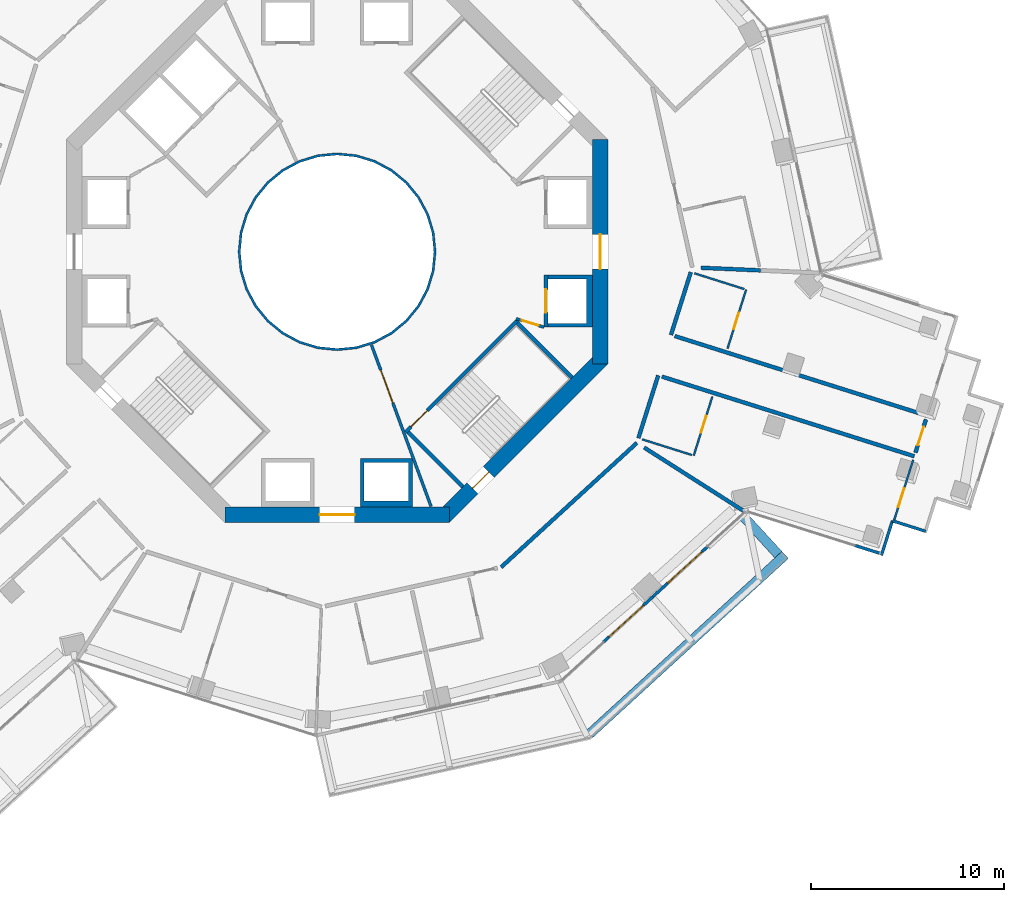
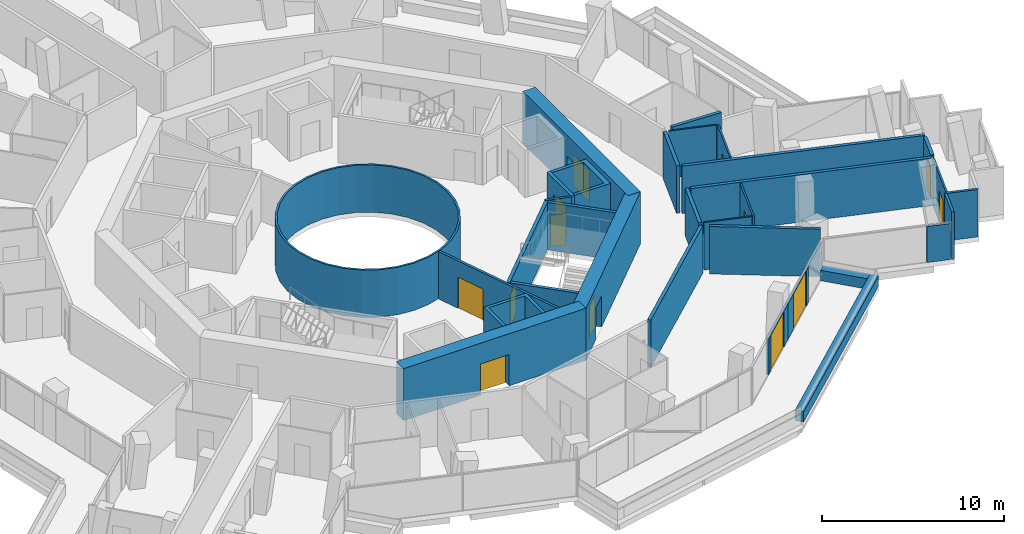
# One storey, part 18 of 24: 32 walls, 13 doors, 13 openings.
"""IFC4 building model written with IfcOpenShell, lengths in metres."""

from ifc_helpers import new_model, si_unit, direction, frame, frame_2d, origin, place, context, subcontext, project, spatial, polyline, rectangle, outline, extrude, material, layer, layer_set, type_object, element, fill, save


model = new_model("IFC4")

# Units and contexts
model_context = context("Model", 3, precision=1e-05, world=origin(), true_north=direction((0.0, 1.0)))
body_context = subcontext(model_context, "Body", "Model", "MODEL_VIEW")
ifc_project = project(units=[si_unit("LENGTHUNIT", "METRE"), si_unit("AREAUNIT", "SQUARE_METRE"), si_unit("VOLUMEUNIT", "CUBIC_METRE"), si_unit("PLANEANGLEUNIT", "RADIAN"), si_unit("MASSUNIT", "GRAM", prefix="KILO")], contexts=[model_context])

# Site, building, storey
site_placement = place(None, origin())
site = spatial("IfcSite", under=ifc_project, at=site_placement, CompositionType="ELEMENT")
building_placement = place(site_placement, origin())
building = spatial("IfcBuilding", under=site, at=building_placement, Name="Verdalira Terraces Hotel", CompositionType="ELEMENT")
storey_placement = place(building_placement, frame((0.0, 0.0, 86.0)))
storey = spatial("IfcBuildingStorey", under=building, at=storey_placement, Name="L19", CompositionType="ELEMENT", Elevation=86.0)

# Walls
ifc_material_1 = material(Name="Fire-resisting glass EI 180", Category="glass")
ifc_layer_1 = layer(ifc_material_1, 0.1201171875)
ifc_layer_set_1 = layer_set([ifc_layer_1], Name="Atrium fire screen 120 mm")
wall_type_1 = type_object("IfcWallType", Name="Atrium fire screen 120 mm", PredefinedType="SOLIDWALL", material=ifc_layer_set_1)
wall_1_placement = place(storey_placement, origin())
element("IfcWall", 1, at=wall_1_placement, inside=storey, type_object=wall_type_1, Name="Atrium fire screen", PredefinedType="SOLIDWALL", context=body_context, shape_type="SweptSolid", body=[
    extrude(outline(polyline([(5.021484, -0.998779), (4.730225, -1.959229), (4.25708, -2.844482), (3.620361, -3.620361), (2.844482, -4.25708), (1.959229, -4.730225), (0.998779, -5.021484), (0.0, -5.120117), (-0.998779, -5.021484), (-1.959229, -4.730225), (-2.844482, -4.25708), (-3.620361, -3.620361), (-4.25708, -2.844482), (-4.730225, -1.959229), (-5.021484, -0.998779), (-5.120117, 0.0), (-5.021484, 0.998779), (-4.730225, 1.959229), (-4.25708, 2.844482), (-3.620361, 3.620361), (-2.844482, 4.25708), (-1.959229, 4.730225), (-0.998779, 5.021484), (0.0, 5.120117), (0.998779, 5.021484), (1.959229, 4.730225), (2.844482, 4.25708), (3.620361, 3.620361), (4.25708, 2.844482), (4.730225, 1.959229), (5.021484, 0.998779), (5.120117, 0.0), (5.021484, -0.998779)]), holes=[polyline([(4.903809, 0.975586), (4.619385, 1.91333), (4.157227, 2.777832), (3.5354, 3.5354), (2.777832, 4.157227), (1.91333, 4.619385), (0.975586, 4.903809), (0.0, 5.0), (-0.975586, 4.903809), (-1.91333, 4.619385), (-2.777832, 4.157227), (-3.5354, 3.5354), (-4.157227, 2.777832), (-4.619385, 1.91333), (-4.903809, 0.975586), (-5.0, 0.0), (-4.903809, -0.975586), (-4.619385, -1.91333), (-4.157227, -2.777832), (-3.5354, -3.5354), (-2.777832, -4.157227), (-1.91333, -4.619385), (-0.975586, -4.903809), (0.0, -5.0), (0.975586, -4.903809), (1.91333, -4.619385), (2.777832, -4.157227), (3.5354, -3.5354), (4.157227, -2.777832), (4.619385, -1.91333), (4.903809, -0.975586), (5.0, 0.0), (4.903809, 0.975586)])]), origin(), (0.0, 0.0, 1.0), 3.189941),
])
ifc_material_2 = material(Name="Concrete C40", Category="concrete")
ifc_layer_2 = layer(ifc_material_2, 0.5)
ifc_layer_set_2 = layer_set([ifc_layer_2], Name="Balcony planter trough with tree")
wall_type_2 = type_object("IfcWallType", Name="Balcony planter trough with tree", PredefinedType="SOLIDWALL", material=ifc_layer_set_2)
wall_2_placement = place(storey_placement, frame((13.047363, -24.944824, 0.0), z_axis=(0.0, 0.0, 1.0), x_axis=(0.737502592, 0.675344302, 0.0)))
element("IfcWall", 2, at=wall_2_placement, inside=storey, type_object=wall_type_2, Name="Balcony planter", PredefinedType="SOLIDWALL", context=body_context, shape_type="SweptSolid", body=[
    extrude(rectangle(XDim=13.723389, YDim=0.5, at=frame_2d((6.861816, 0.0))), origin(), (0.0, 0.0, 1.0), 0.699951),
])
wall_3_placement = place(storey_placement, frame((22.815186, -15.661377, 0.0), z_axis=(0.0, 0.0, 1.0), x_axis=(-0.675257533, 0.737582039, 0.0)))
element("IfcWall", 3, at=wall_3_placement, inside=storey, type_object=wall_type_2, Name="Balcony planter", PredefinedType="SOLIDWALL", context=body_context, shape_type="SweptSolid", body=[
    extrude(rectangle(XDim=2.698975, YDim=0.5, at=frame_2d((1.349609, 0.0))), origin(), (0.0, 0.0, 1.0), 0.699951),
])
ifc_material_3 = material(Name="Moisture-resistant gypsum board partition")
ifc_layer_3 = layer(ifc_material_3, 0.10009765625)
ifc_layer_set_3 = layer_set([ifc_layer_3], Name="Bathroom partition 100 mm")
wall_type_3 = type_object("IfcWallType", Name="Bathroom partition 100 mm", PredefinedType="PARTITIONING", material=ifc_layer_set_3)
wall_4_placement = place(storey_placement, frame((15.770508, -9.69751, 0.0), z_axis=(0.0, 0.0, 1.0), x_axis=(0.953625017, -0.30099722, 0.0)))
element("IfcWall", 4, at=wall_4_placement, inside=storey, type_object=wall_type_3, Name="Bathroom partition", PredefinedType="PARTITIONING", context=body_context, shape_type="SweptSolid", body=[
    extrude(rectangle(XDim=2.700195, YDim=0.100098, at=frame_2d((1.350098, 0.0))), origin(), (0.0, 0.0, 1.0), 3.189941),
])

# Wall, opening, door
wall_5_placement = place(storey_placement, frame((18.440674, -10.540283, 0.0), z_axis=(0.0, 0.0, 1.0), x_axis=(0.30105834, 0.953605724, 0.0)))
wall_5 = element("IfcWall", 5, at=wall_5_placement, inside=storey, type_object=wall_type_3, Name="Bathroom partition", PredefinedType="PARTITIONING", context=body_context, shape_type="SweptSolid", body=[
    extrude(rectangle(XDim=3.199951, YDim=0.100098, at=frame_2d((1.600098, 0.0))), origin(), (0.0, 0.0, 1.0), 3.189941),
])
opening_1_placement = place(wall_5_placement, frame((1.25, 0.0, 0.0)))
opening_1 = element("IfcOpeningElement", 6, at=opening_1_placement, cuts=wall_5, Name="Opening L19-131", PredefinedType="OPENING", context=body_context, shape_type="SweptSolid", body=[
    extrude(rectangle(XDim=0.899902, YDim=2.100098, at=frame_2d((0.449951, 1.050049))), frame((0.0, 0.060059, 0.0), z_axis=(0.0, -1.0, 0.0), x_axis=(1.0, 0.0, 0.0)), (0.0, 0.0, 1.0), 0.120117),
])
ifc_material_4 = material(Name="Timber door", Category="wood")
door_type_1 = type_object("IfcDoorType", Name="Bathroom door 900 x 2100", OperationType="NOTDEFINED", PredefinedType="DOOR", material=ifc_material_4)
door_1_placement = place(opening_1_placement, origin())
door_1 = element("IfcDoor", 7, at=door_1_placement, inside=storey, type_object=door_type_1, Name="Bathroom door 1910", OperationType="SINGLE_SWING_LEFT", OverallHeight=2.10009765625, OverallWidth=0.89990234375, PredefinedType="DOOR", context=body_context, shape_type="SweptSolid", body=[
    extrude(rectangle(XDim=0.899902, YDim=2.100098, at=frame_2d((0.449951, 1.050049))), frame((0.0, 0.024902, 0.0), z_axis=(0.0, -1.0, 0.0), x_axis=(1.0, 0.0, 0.0)), (0.0, 0.0, 1.0), 0.050049),
])
fill(opening_1, door_1)

# Wall
wall_6_placement = place(storey_placement, frame((21.054688, -1.927734, 0.0), z_axis=(0.0, 0.0, 1.0), x_axis=(-0.953616824, 0.301023175, 0.0)))
element("IfcWall", 8, at=wall_6_placement, inside=storey, type_object=wall_type_3, Name="Bathroom partition", PredefinedType="PARTITIONING", context=body_context, shape_type="SweptSolid", body=[
    extrude(rectangle(XDim=2.699951, YDim=0.100098, at=frame_2d((1.350098, 0.0))), origin(), (0.0, 0.0, 1.0), 3.189941),
])

# Wall, opening, door
wall_7_placement = place(storey_placement, frame((20.186768, -5.009521, 0.0), z_axis=(0.0, 0.0, 1.0), x_axis=(0.301036438, 0.953612638, 0.0)))
wall_7 = element("IfcWall", 9, at=wall_7_placement, inside=storey, type_object=wall_type_3, Name="Bathroom partition", PredefinedType="PARTITIONING", context=body_context, shape_type="SweptSolid", body=[
    extrude(rectangle(XDim=3.200195, YDim=0.100098, at=frame_2d((1.600098, 0.0))), origin(), (0.0, 0.0, 1.0), 3.189941),
])
opening_2_placement = place(wall_7_placement, frame((1.050049, 0.0, 0.0)))
opening_2 = element("IfcOpeningElement", 10, at=opening_2_placement, cuts=wall_7, Name="Opening L19-132", PredefinedType="OPENING", context=body_context, shape_type="SweptSolid", body=[
    extrude(rectangle(XDim=0.899902, YDim=2.100098, at=frame_2d((0.449951, 1.050049))), frame((0.0, 0.060059, 0.0), z_axis=(0.0, -1.0, 0.0), x_axis=(1.0, 0.0, 0.0)), (0.0, 0.0, 1.0), 0.120117),
])
door_2_placement = place(opening_2_placement, origin())
door_2 = element("IfcDoor", 11, at=door_2_placement, inside=storey, type_object=door_type_1, Name="Bathroom door 1910", OperationType="SINGLE_SWING_RIGHT", OverallHeight=2.10009765625, OverallWidth=0.89990234375, PredefinedType="DOOR", context=body_context, shape_type="SweptSolid", body=[
    extrude(rectangle(XDim=0.899902, YDim=2.100098, at=frame_2d((0.449951, 1.050049))), frame((0.0, 0.024902, 0.0), z_axis=(0.0, -1.0, 0.0), x_axis=(1.0, 0.0, 0.0)), (0.0, 0.0, 1.0), 0.050049),
])
fill(opening_2, door_2)

wall_8_placement = place(storey_placement, frame((28.808594, -13.86792, 0.0), z_axis=(0.0, 0.0, 1.0), x_axis=(0.301030769, 0.953614427, 0.0)))
wall_8 = element("IfcWall", 12, at=wall_8_placement, inside=storey, type_object=wall_type_3, Name="Bathroom partition", PredefinedType="PARTITIONING", context=body_context, shape_type="SweptSolid", body=[
    extrude(rectangle(XDim=3.252197, YDim=0.100098, at=frame_2d((1.625977, 0.0))), origin(), (0.0, 0.0, 1.0), 3.189941),
])
opening_3_placement = place(wall_8_placement, frame((0.699951, 0.0, 0.0)))
opening_3 = element("IfcOpeningElement", 13, at=opening_3_placement, cuts=wall_8, Name="Opening L19-129", PredefinedType="OPENING", context=body_context, shape_type="SweptSolid", body=[
    extrude(rectangle(XDim=1.0, YDim=2.100098, at=frame_2d((0.5, 1.050049))), frame((0.0, 0.060059, 0.0), z_axis=(0.0, -1.0, 0.0), x_axis=(1.0, 0.0, 0.0)), (0.0, 0.0, 1.0), 0.120117),
])
ifc_material_5 = material(Name="Timber door", Category="wood")
door_type_2 = type_object("IfcDoorType", Name="Suite internal door 1000 x 2100", OperationType="NOTDEFINED", PredefinedType="DOOR", material=ifc_material_5)
door_3_placement = place(opening_3_placement, origin())
door_3 = element("IfcDoor", 14, at=door_3_placement, inside=storey, type_object=door_type_2, Name="Suite internal door 1910", OperationType="SINGLE_SWING_LEFT", OverallHeight=2.10009765625, OverallWidth=1.0, PredefinedType="DOOR", context=body_context, shape_type="SweptSolid", body=[
    extrude(rectangle(XDim=1.0, YDim=2.100098, at=frame_2d((0.5, 1.050049))), frame((0.0, 0.024902, 0.0), z_axis=(0.0, -1.0, 0.0), x_axis=(1.0, 0.0, 0.0)), (0.0, 0.0, 1.0), 0.050049),
])
fill(opening_3, door_3)

# Wall
ifc_material_6 = material(Name="Concrete C50", Category="concrete")
ifc_layer_4 = layer(ifc_material_6, 0.199951171875)
ifc_layer_set_4 = layer_set([ifc_layer_4], Name="Core RC wall 200 C50")
wall_type_4 = type_object("IfcWallType", Name="Core RC wall 200 C50", PredefinedType="SOLIDWALL", material=ifc_layer_set_4)
wall_9_placement = place(storey_placement, origin())
element("IfcWall", 15, at=wall_9_placement, inside=storey, type_object=wall_type_4, Name="L19 shaft wall E1", PredefinedType="SOLIDWALL", context=body_context, shape_type="SweptSolid", body=[
    extrude(outline(polyline([(13.199951, -3.899902), (10.899902, -3.899902), (10.899902, -3.699951), (12.899902, -3.699951), (12.899902, -1.399902), (10.899902, -1.399902), (10.899902, -1.199951), (13.199951, -1.199951), (13.199951, -3.899902)])), origin(), (0.0, 0.0, 1.0), 3.189941),
])

# Wall, opening, door
wall_10_placement = place(storey_placement, frame((10.800049, -1.199951, 0.0), z_axis=(0.0, 0.0, 1.0), x_axis=(0.0, -1.0, 0.0)))
wall_10 = element("IfcWall", 16, at=wall_10_placement, inside=storey, type_object=wall_type_4, Name="L19 shaft front wall E1", PredefinedType="SOLIDWALL", context=body_context, shape_type="SweptSolid", body=[
    extrude(rectangle(XDim=2.699951, YDim=0.199951, at=frame_2d((1.350098, 0.0))), origin(), (0.0, 0.0, 1.0), 3.189941),
])
opening_4_placement = place(wall_10_placement, frame((0.75, 0.0, 0.0)))
opening_4 = element("IfcOpeningElement", 17, at=opening_4_placement, cuts=wall_10, Name="Opening LD-L19-801", PredefinedType="OPENING", context=body_context, shape_type="SweptSolid", body=[
    extrude(rectangle(XDim=1.199951, YDim=2.100098, at=frame_2d((0.600098, 1.050049))), frame((0.0, 0.109863, 0.0), z_axis=(0.0, -1.0, 0.0), x_axis=(1.0, 0.0, 0.0)), (0.0, 0.0, 1.0), 0.219971),
])
ifc_material_7 = material(Name="Stainless steel", Category="steel")
door_type_3 = type_object("IfcDoorType", Name="Landing door 1200 x 2100", OperationType="NOTDEFINED", PredefinedType="DOOR", material=ifc_material_7)
door_4_placement = place(opening_4_placement, origin())
door_4 = element("IfcDoor", 18, at=door_4_placement, inside=storey, type_object=door_type_3, Name="Lift landing door LR1 L19", OperationType="DOUBLE_DOOR_SLIDING", OverallHeight=2.10009765625, OverallWidth=1.199951171875, PredefinedType="DOOR", context=body_context, shape_type="SweptSolid", body=[
    extrude(rectangle(XDim=1.199951, YDim=2.100098, at=frame_2d((0.600098, 1.050049))), frame((0.0, 0.024902, 0.0), z_axis=(0.0, -1.0, 0.0), x_axis=(1.0, 0.0, 0.0)), (0.0, 0.0, 1.0), 0.050049),
])
fill(opening_4, door_4)

# Wall
wall_11_placement = place(storey_placement, origin())
element("IfcWall", 19, at=wall_11_placement, inside=storey, type_object=wall_type_4, Name="L19 shaft wall S2", PredefinedType="SOLIDWALL", context=body_context, shape_type="SweptSolid", body=[
    extrude(outline(polyline([(3.899902, -10.699951), (3.899902, -13.199951), (1.199951, -13.199951), (1.199951, -10.699951), (3.899902, -10.699951)]), holes=[polyline([(1.399902, -12.899902), (3.699951, -12.899902), (3.699951, -10.899902), (1.399902, -10.899902), (1.399902, -12.899902)])]), origin(), (0.0, 0.0, 1.0), 3.189941),
])

# Wall, opening, door
wall_12_placement = place(storey_placement, frame((9.33374, -3.5354, 0.0), z_axis=(0.0, 0.0, 1.0), x_axis=(-0.707106781, -0.707106781, 0.0)))
wall_12 = element("IfcWall", 20, at=wall_12_placement, inside=storey, type_object=wall_type_4, Name="L19 stair ST3 front wall", PredefinedType="SOLIDWALL", context=body_context, shape_type="SweptSolid", body=[
    extrude(rectangle(XDim=8.200195, YDim=0.199951, at=frame_2d((4.100098, 0.0))), origin(), (0.0, 0.0, 1.0), 3.189941),
])
opening_5_placement = place(wall_12_placement, frame((6.600098, 0.0, 0.0)))
opening_5 = element("IfcOpeningElement", 21, at=opening_5_placement, cuts=wall_12, Name="Opening L19-811", PredefinedType="OPENING", context=body_context, shape_type="SweptSolid", body=[
    extrude(rectangle(XDim=1.199951, YDim=2.100098, at=frame_2d((0.600098, 1.050049))), frame((0.0, 0.109863, 0.0), z_axis=(0.0, -1.0, 0.0), x_axis=(1.0, 0.0, 0.0)), (0.0, 0.0, 1.0), 0.219971),
])
ifc_material_8 = material(Name="Steel fire door", Category="steel")
door_type_4 = type_object("IfcDoorType", Name="Stair door 1200 x 2100", OperationType="NOTDEFINED", PredefinedType="DOOR", material=ifc_material_8)
door_5_placement = place(opening_5_placement, origin())
door_5 = element("IfcDoor", 22, at=door_5_placement, inside=storey, type_object=door_type_4, Name="Stair door ST3 L19", OperationType="SINGLE_SWING_RIGHT", OverallHeight=2.10009765625, OverallWidth=1.199951171875, PredefinedType="DOOR", context=body_context, shape_type="SweptSolid", body=[
    extrude(rectangle(XDim=1.199951, YDim=2.100098, at=frame_2d((0.600098, 1.050049))), frame((0.0, 0.024902, 0.0), z_axis=(0.0, -1.0, 0.0), x_axis=(1.0, 0.0, 0.0)), (0.0, 0.0, 1.0), 0.050049),
])
fill(opening_5, door_5)

# Walls
for number, where, z_axis, x_axis, name in (
    (23, (3.677002, -9.33374, 0.0), (0.0, 0.0, 1.0), (0.707106781, -0.707106781, 0.0), "L19 stair ST3 end wall 1"),
    (24, (9.33374, -3.677002, 0.0), (0.0, 0.0, 1.0), (0.707106781, -0.707106781, 0.0), "L19 stair ST3 end wall 2"),
):
    element("IfcWall", number, at=place(storey_placement, frame(where, z_axis=z_axis, x_axis=x_axis)), inside=storey, type_object=wall_type_4, Name=name, PredefinedType="SOLIDWALL", context=body_context, shape_type="SweptSolid", body=[
        extrude(rectangle(XDim=4.0, YDim=0.199951, at=frame_2d((2.0, 0.0))), origin(), (0.0, 0.0, 1.0), 3.189941),
    ])

# Wall, opening, door
ifc_material_9 = material(Name="Gypsum board partition")
ifc_layer_5 = layer(ifc_material_9, 0.14990234375)
ifc_layer_set_5 = layer_set([ifc_layer_5], Name="Core partition 150 mm")
wall_type_5 = type_object("IfcWallType", Name="Core partition 150 mm", PredefinedType="PARTITIONING", material=ifc_layer_set_5)
wall_13_placement = place(storey_placement, frame((9.263184, -3.464844, 0.0), z_axis=(0.0, 0.0, 1.0), x_axis=(0.957084567, -0.289808785, 0.0)))
wall_13 = element("IfcWall", 25, at=wall_13_placement, inside=storey, type_object=wall_type_5, Name="Room partition L19", PredefinedType="PARTITIONING", context=body_context, shape_type="SweptSolid", body=[
    extrude(rectangle(XDim=1.501221, YDim=0.149902, at=frame_2d((0.750488, 0.0))), origin(), (0.0, 0.0, 1.0), 3.189941),
])
opening_6_placement = place(wall_13_placement, frame((0.300781, 0.0, 0.0)))
opening_6 = element("IfcOpeningElement", 26, at=opening_6_placement, cuts=wall_13, Name="Opening L19-823", PredefinedType="OPENING", context=body_context, shape_type="SweptSolid", body=[
    extrude(rectangle(XDim=0.899902, YDim=2.100098, at=frame_2d((0.449951, 1.050049))), frame((0.0, 0.084961, 0.0), z_axis=(0.0, -1.0, 0.0), x_axis=(1.0, 0.0, 0.0)), (0.0, 0.0, 1.0), 0.169922),
])
ifc_material_10 = material(Name="Steel fire door", Category="steel")
door_type_5 = type_object("IfcDoorType", Name="Core room door 900 x 2100", OperationType="NOTDEFINED", PredefinedType="DOOR", material=ifc_material_10)
door_6_placement = place(opening_6_placement, origin())
door_6 = element("IfcDoor", 27, at=door_6_placement, inside=storey, type_object=door_type_5, Name="Door L19 room7", OperationType="SINGLE_SWING_LEFT", OverallHeight=2.10009765625, OverallWidth=0.89990234375, PredefinedType="DOOR", context=body_context, shape_type="SweptSolid", body=[
    extrude(rectangle(XDim=0.899902, YDim=2.100098, at=frame_2d((0.449951, 1.050049))), frame((0.0, 0.024902, 0.0), z_axis=(0.0, -1.0, 0.0), x_axis=(1.0, 0.0, 0.0)), (0.0, 0.0, 1.0), 0.050049),
])
fill(opening_6, door_6)

wall_14_placement = place(storey_placement, frame((1.775635, -4.812988, 0.0), z_axis=(0.0, 0.0, 1.0), x_axis=(0.346115488, -0.938191915, 0.0)))
wall_14 = element("IfcWall", 28, at=wall_14_placement, inside=storey, type_object=wall_type_5, Name="Gallery fire partition L19", PredefinedType="PARTITIONING", context=body_context, shape_type="SweptSolid", body=[
    extrude(rectangle(XDim=8.909668, YDim=0.149902, at=frame_2d((4.454834, 0.0))), origin(), (0.0, 0.0, 1.0), 3.189941),
])
opening_7_placement = place(wall_14_placement, frame((1.399902, 0.0, 0.0)))
opening_7 = element("IfcOpeningElement", 29, at=opening_7_placement, cuts=wall_14, Name="Opening L19-825", PredefinedType="OPENING", context=body_context, shape_type="SweptSolid", body=[
    extrude(rectangle(XDim=1.800049, YDim=2.100098, at=frame_2d((0.899902, 1.050049))), frame((0.0, 0.084961, 0.0), z_axis=(0.0, -1.0, 0.0), x_axis=(1.0, 0.0, 0.0)), (0.0, 0.0, 1.0), 0.169922),
])
ifc_material_11 = material(Name="Steel fire door", Category="steel")
door_type_6 = type_object("IfcDoorType", Name="Gallery fire door pair 1800 x 2100", OperationType="NOTDEFINED", PredefinedType="DOOR", material=ifc_material_11)
door_7_placement = place(opening_7_placement, origin())
door_7 = element("IfcDoor", 30, at=door_7_placement, inside=storey, type_object=door_type_6, Name="Door L19 split6", OperationType="DOUBLE_DOOR_SINGLE_SWING", OverallHeight=2.10009765625, OverallWidth=1.800048828125, PredefinedType="DOOR", context=body_context, shape_type="SweptSolid", body=[
    extrude(rectangle(XDim=1.800049, YDim=2.100098, at=frame_2d((0.899902, 1.050049))), frame((0.0, 0.024902, 0.0), z_axis=(0.0, -1.0, 0.0), x_axis=(1.0, 0.0, 0.0)), (0.0, 0.0, 1.0), 0.050049),
])
fill(opening_7, door_7)

ifc_material_12 = material(Name="Concrete C70", Category="concrete")
ifc_layer_6 = layer(ifc_material_12, 0.800048828125)
ifc_layer_set_6 = layer_set([ifc_layer_6], Name="Core wall 800 C70")
wall_type_6 = type_object("IfcWallType", Name="Core wall 800 C70", PredefinedType="SHEAR", material=ifc_layer_set_6)
wall_15_placement = place(storey_placement, frame((13.600098, -5.799072, 0.0), z_axis=(0.0, 0.0, 1.0), x_axis=(0.0, 1.0, 0.0)))
wall_15 = element("IfcWall", 31, at=wall_15_placement, inside=storey, type_object=wall_type_6, Name="Core wall CW-L19-1", PredefinedType="SHEAR", context=body_context, shape_type="SweptSolid", body=[
    extrude(rectangle(XDim=11.598145, YDim=0.800049, at=frame_2d((5.799072, 0.0))), origin(), (0.0, 0.0, 1.0), 3.5),
])
opening_8_placement = place(wall_15_placement, frame((4.898926, 0.0, 0.0)))
opening_8 = element("IfcOpeningElement", 32, at=opening_8_placement, cuts=wall_15, Name="Opening L19-812", PredefinedType="OPENING", context=body_context, shape_type="SweptSolid", body=[
    extrude(rectangle(XDim=1.800049, YDim=2.100098, at=frame_2d((0.899902, 1.050049))), frame((0.0, 0.409912, 0.0), z_axis=(0.0, -1.0, 0.0), x_axis=(1.0, 0.0, 0.0)), (0.0, 0.0, 1.0), 0.820068),
])
ifc_material_13 = material(Name="Steel fire door", Category="steel")
door_type_7 = type_object("IfcDoorType", Name="Core entry door pair 1800 x 2100", OperationType="NOTDEFINED", PredefinedType="DOOR", material=ifc_material_13)
door_8_placement = place(opening_8_placement, origin())
door_8 = element("IfcDoor", 33, at=door_8_placement, inside=storey, type_object=door_type_7, Name="Core entry door L19 0", OperationType="DOUBLE_DOOR_SINGLE_SWING", OverallHeight=2.10009765625, OverallWidth=1.800048828125, PredefinedType="DOOR", context=body_context, shape_type="SweptSolid", body=[
    extrude(rectangle(XDim=1.800049, YDim=2.100098, at=frame_2d((0.899902, 1.050049))), frame((0.0, 0.024902, 0.0), z_axis=(0.0, -1.0, 0.0), x_axis=(1.0, 0.0, 0.0)), (0.0, 0.0, 1.0), 0.050049),
])
fill(opening_8, door_8)

wall_16_placement = place(storey_placement, frame((-5.799072, -13.600098, 0.0), z_axis=(0.0, 0.0, 1.0), x_axis=(1.0, 0.0, 0.0)))
wall_16 = element("IfcWall", 34, at=wall_16_placement, inside=storey, type_object=wall_type_6, Name="Core wall CW-L19-7", PredefinedType="SHEAR", context=body_context, shape_type="SweptSolid", body=[
    extrude(rectangle(XDim=11.598145, YDim=0.800049, at=frame_2d((5.799072, 0.0))), origin(), (0.0, 0.0, 1.0), 3.5),
])
opening_9_placement = place(wall_16_placement, frame((4.898926, 0.0, 0.0)))
opening_9 = element("IfcOpeningElement", 35, at=opening_9_placement, cuts=wall_16, Name="Opening L19-815", PredefinedType="OPENING", context=body_context, shape_type="SweptSolid", body=[
    extrude(rectangle(XDim=1.800049, YDim=2.100098, at=frame_2d((0.899902, 1.050049))), frame((0.0, 0.409912, 0.0), z_axis=(0.0, -1.0, 0.0), x_axis=(1.0, 0.0, 0.0)), (0.0, 0.0, 1.0), 0.820068),
])
door_9_placement = place(opening_9_placement, origin())
door_9 = element("IfcDoor", 36, at=door_9_placement, inside=storey, type_object=door_type_7, Name="Core entry door L19 6", OperationType="DOUBLE_DOOR_SINGLE_SWING", OverallHeight=2.10009765625, OverallWidth=1.800048828125, PredefinedType="DOOR", context=body_context, shape_type="SweptSolid", body=[
    extrude(rectangle(XDim=1.800049, YDim=2.100098, at=frame_2d((0.899902, 1.050049))), frame((0.0, 0.024902, 0.0), z_axis=(0.0, -1.0, 0.0), x_axis=(1.0, 0.0, 0.0)), (0.0, 0.0, 1.0), 0.050049),
])
fill(opening_9, door_9)

wall_17_placement = place(storey_placement, frame((5.516113, -13.717285, 0.0), z_axis=(0.0, 0.0, 1.0), x_axis=(0.707106781, 0.707106781, 0.0)))
wall_17 = element("IfcWall", 37, at=wall_17_placement, inside=storey, type_object=wall_type_6, Name="Core wall CW-L19-8", PredefinedType="SHEAR", context=body_context, shape_type="SweptSolid", body=[
    extrude(rectangle(XDim=11.598145, YDim=0.800049, at=frame_2d((5.799072, 0.0))), origin(), (0.0, 0.0, 1.0), 3.5),
])
opening_10_placement = place(wall_17_placement, frame((2.099121, 0.0, 0.0)))
opening_10 = element("IfcOpeningElement", 38, at=opening_10_placement, cuts=wall_17, Name="Opening L19-818", PredefinedType="OPENING", context=body_context, shape_type="SweptSolid", body=[
    extrude(rectangle(XDim=1.199951, YDim=2.100098, at=frame_2d((0.600098, 1.050049))), frame((0.0, 0.409912, 0.0), z_axis=(0.0, -1.0, 0.0), x_axis=(1.0, 0.0, 0.0)), (0.0, 0.0, 1.0), 0.820068),
])
door_10_placement = place(opening_10_placement, origin())
door_10 = element("IfcDoor", 39, at=door_10_placement, inside=storey, type_object=door_type_4, Name="Stair exit door ST3 L19", OperationType="SINGLE_SWING_LEFT", OverallHeight=2.10009765625, OverallWidth=1.199951171875, PredefinedType="DOOR", context=body_context, shape_type="SweptSolid", body=[
    extrude(rectangle(XDim=1.199951, YDim=2.100098, at=frame_2d((0.600098, 1.050049))), frame((0.0, 0.024902, 0.0), z_axis=(0.0, -1.0, 0.0), x_axis=(1.0, 0.0, 0.0)), (0.0, 0.0, 1.0), 0.050049),
])
fill(opening_10, door_10)

# Walls
ifc_material_14 = material(Name="Fire-rated gypsum board wall")
ifc_layer_7 = layer(ifc_material_14, 0.199951171875)
ifc_layer_set_7 = layer_set([ifc_layer_7], Name="Demising wall 200 mm")
wall_type_7 = type_object("IfcWallType", Name="Demising wall 200 mm", PredefinedType="SOLIDWALL", material=ifc_layer_set_7)
wall_18_placement = place(storey_placement, frame((15.87915, -10.124023, 0.0), z_axis=(0.0, 0.0, 1.0), x_axis=(0.843220205, -0.537568308, 0.0)))
element("IfcWall", 40, at=wall_18_placement, inside=storey, type_object=wall_type_7, Name="Demising wall", PredefinedType="SOLIDWALL", context=body_context, shape_type="SweptSolid", body=[
    extrude(rectangle(XDim=6.13208, YDim=0.199951, at=frame_2d((3.065918, 0.0))), origin(), (0.0, 0.0, 1.0), 3.189941),
])
wall_19_placement = place(storey_placement, frame((18.813721, -0.827881, 0.0), z_axis=(0.0, 0.0, 1.0), x_axis=(0.999032036, -0.043988535, 0.0)))
element("IfcWall", 41, at=wall_19_placement, inside=storey, type_object=wall_type_7, Name="Demising wall", PredefinedType="SOLIDWALL", context=body_context, shape_type="SweptSolid", body=[
    extrude(rectangle(XDim=3.074707, YDim=0.199951, at=frame_2d((1.537354, 0.0))), origin(), (0.0, 0.0, 1.0), 3.189941),
])
ifc_material_15 = material(Name="Fire-rated gypsum board wall")
ifc_layer_8 = layer(ifc_material_15, 0.199951171875)
ifc_layer_set_8 = layer_set([ifc_layer_8], Name="Guest corridor wall 200 mm")
wall_type_8 = type_object("IfcWallType", Name="Guest corridor wall 200 mm", PredefinedType="SOLIDWALL", material=ifc_layer_set_8)
wall_20_placement = place(storey_placement, frame((8.483887, -16.310059, 0.0), z_axis=(0.0, 0.0, 1.0), x_axis=(0.737517179, 0.675328372, 0.0)))
element("IfcWall", 42, at=wall_20_placement, inside=storey, type_object=wall_type_8, Name="Guest corridor wall", PredefinedType="SOLIDWALL", context=body_context, shape_type="SweptSolid", body=[
    extrude(rectangle(XDim=9.516113, YDim=0.199951, at=frame_2d((4.758057, 0.0))), origin(), (0.0, 0.0, 1.0), 3.189941),
])
wall_21_placement = place(storey_placement, frame((15.579834, -9.637207, 0.0), z_axis=(0.0, 0.0, 1.0), x_axis=(0.301086692, 0.953596772, 0.0)))
element("IfcWall", 43, at=wall_21_placement, inside=storey, type_object=wall_type_8, Name="Guest corridor wall", PredefinedType="SOLIDWALL", context=body_context, shape_type="SweptSolid", body=[
    extrude(rectangle(XDim=3.399902, YDim=0.199951, at=frame_2d((1.699951, 0.0))), origin(), (0.0, 0.0, 1.0), 3.189941),
])
wall_22_placement = place(storey_placement, frame((17.265625, -4.297119, 0.0), z_axis=(0.0, 0.0, 1.0), x_axis=(0.301066076, 0.953603281, 0.0)))
element("IfcWall", 44, at=wall_22_placement, inside=storey, type_object=wall_type_8, Name="Guest corridor wall", PredefinedType="SOLIDWALL", context=body_context, shape_type="SweptSolid", body=[
    extrude(rectangle(XDim=3.400146, YDim=0.199951, at=frame_2d((1.700195, 0.0))), origin(), (0.0, 0.0, 1.0), 3.189941),
])
for number, where, z_axis, x_axis, name in (
    (45, (16.794189, -6.455078, 0.0), (0.0, 0.0, 1.0), (0.953611503, -0.301040034, 0.0), "Guest corridor wall"),
    (46, (30.51001, -8.478027, 0.0), (0.0, 0.0, 1.0), (-0.953611503, 0.301040034, 0.0), "Guest corridor wall"),
):
    element("IfcWall", number, at=place(storey_placement, frame(where, z_axis=z_axis, x_axis=x_axis)), inside=storey, type_object=wall_type_8, Name=name, PredefinedType="SOLIDWALL", context=body_context, shape_type="SweptSolid", body=[
        extrude(rectangle(XDim=13.688721, YDim=0.199951, at=frame_2d((6.844238, 0.0))), origin(), (0.0, 0.0, 1.0), 3.189941),
    ])

# Wall, opening, door
wall_23_placement = place(storey_placement, frame((30.450439, -8.666748, 0.0), z_axis=(0.0, 0.0, 1.0), x_axis=(-0.300962974, -0.953635826, 0.0)))
wall_23 = element("IfcWall", 47, at=wall_23_placement, inside=storey, type_object=wall_type_8, Name="Guest corridor wall", PredefinedType="SOLIDWALL", context=body_context, shape_type="SweptSolid", body=[
    extrude(rectangle(XDim=1.804199, YDim=0.199951, at=frame_2d((0.9021, 0.0))), origin(), (0.0, 0.0, 1.0), 3.189941),
])
opening_11_placement = place(wall_23_placement, frame((0.399902, 0.0, 0.0)))
opening_11 = element("IfcOpeningElement", 48, at=opening_11_placement, cuts=wall_23, Name="Opening L19-128", PredefinedType="OPENING", context=body_context, shape_type="SweptSolid", body=[
    extrude(rectangle(XDim=1.0, YDim=2.100098, at=frame_2d((0.5, 1.050049))), frame((0.0, 0.109863, 0.0), z_axis=(0.0, -1.0, 0.0), x_axis=(1.0, 0.0, 0.0)), (0.0, 0.0, 1.0), 0.219971),
])
ifc_material_16 = material(Name="Timber fire door", Category="wood")
door_type_8 = type_object("IfcDoorType", Name="Guest entry door 1000 x 2100", OperationType="NOTDEFINED", PredefinedType="DOOR", material=ifc_material_16)
door_11_placement = place(opening_11_placement, origin())
door_11 = element("IfcDoor", 49, at=door_11_placement, inside=storey, type_object=door_type_8, Name="Guest entry door 1910", OperationType="SINGLE_SWING_LEFT", OverallHeight=2.10009765625, OverallWidth=1.0, PredefinedType="DOOR", context=body_context, shape_type="SweptSolid", body=[
    extrude(rectangle(XDim=1.0, YDim=2.100098, at=frame_2d((0.5, 1.050049))), frame((0.0, 0.024902, 0.0), z_axis=(0.0, -1.0, 0.0), x_axis=(1.0, 0.0, 0.0)), (0.0, 0.0, 1.0), 0.050049),
])
fill(opening_11, door_11)

# Walls
ifc_material_17 = material(Name="Terracotta cladding", Category="masonry")
ifc_layer_9 = layer(ifc_material_17, 0.14990234375)
ifc_layer_set_9 = layer_set([ifc_layer_9], Name="Terracotta clad wall 150")
wall_type_9 = type_object("IfcWallType", Name="Terracotta clad wall 150", PredefinedType="SOLIDWALL", material=ifc_layer_set_9)
wall_24_placement = place(storey_placement, frame((28.150635, -15.702881, 0.0), z_axis=(0.0, 0.0, 1.0), x_axis=(0.301031663, 0.953614145, 0.0)))
element("IfcWall", 50, at=wall_24_placement, inside=storey, type_object=wall_type_9, Name="Terracotta cladding wall", PredefinedType="SOLIDWALL", context=body_context, shape_type="SweptSolid", body=[
    extrude(rectangle(XDim=1.875, YDim=0.149902, at=frame_2d((0.9375, 0.0))), origin(), (0.0, 0.0, 1.0), 3.189941),
])
wall_25_placement = place(storey_placement, frame((28.715088, -13.914795, 0.0), z_axis=(0.0, 0.0, 1.0), x_axis=(0.953594963, -0.301092422, 0.0)))
element("IfcWall", 51, at=wall_25_placement, inside=storey, type_object=wall_type_9, Name="Terracotta cladding wall", PredefinedType="SOLIDWALL", context=body_context, shape_type="SweptSolid", body=[
    extrude(rectangle(XDim=1.800049, YDim=0.149902, at=frame_2d((0.899902, 0.0))), origin(), (0.0, 0.0, 1.0), 3.189941),
])
ifc_material_18 = material(Name="Terracotta cladding", Category="masonry")
ifc_layer_10 = layer(ifc_material_18, 0.14990234375)
ifc_layer_set_10 = layer_set([ifc_layer_10], Name="Terracotta column pier 150")
wall_type_10 = type_object("IfcWallType", Name="Terracotta column pier 150", PredefinedType="SOLIDWALL", material=ifc_layer_set_10)
wall_26_placement = place(storey_placement, frame((26.763916, -15.186523, 0.0), z_axis=(0.0, 0.0, 1.0), x_axis=(0.953635251, -0.300964794, 0.0)))
element("IfcWall", 52, at=wall_26_placement, inside=storey, type_object=wall_type_10, Name="Terracotta column pier", PredefinedType="SOLIDWALL", context=body_context, shape_type="SweptSolid", body=[
    extrude(rectangle(XDim=1.332764, YDim=0.149902, at=frame_2d((0.666504, 0.0))), origin(), (0.0, 0.0, 1.0), 2.425049),
])

# Wall, opening, door
ifc_material_19 = material(Name="Terracotta cladding", Category="masonry")
ifc_layer_11 = layer(ifc_material_19, 0.14990234375)
ifc_layer_set_11 = layer_set([ifc_layer_11], Name="Terracotta door pier 150")
wall_type_11 = type_object("IfcWallType", Name="Terracotta door pier 150", PredefinedType="SOLIDWALL", material=ifc_layer_set_11)
wall_27_placement = place(storey_placement, frame((13.769043, -20.182373, 0.0), z_axis=(0.0, 0.0, 1.0), x_axis=(0.737477764, 0.675371415, 0.0)))
wall_27 = element("IfcWall", 53, at=wall_27_placement, inside=storey, type_object=wall_type_11, Name="Terracotta door pier", PredefinedType="SOLIDWALL", context=body_context, shape_type="SweptSolid", body=[
    extrude(rectangle(XDim=3.475098, YDim=0.149902, at=frame_2d((1.737549, 0.0))), origin(), (0.0, 0.0, 1.0), 2.425049),
])
opening_12_placement = place(wall_27_placement, frame((0.399902, 0.0, 0.0)))
opening_12 = element("IfcOpeningElement", 54, at=opening_12_placement, cuts=wall_27, Name="Opening L19-B15", PredefinedType="OPENING", context=body_context, shape_type="SweptSolid", body=[
    extrude(rectangle(XDim=2.399902, YDim=2.399902, at=frame_2d((1.199951, 1.199951))), frame((0.0, 0.084961, 0.0), z_axis=(0.0, -1.0, 0.0), x_axis=(1.0, 0.0, 0.0)), (0.0, 0.0, 1.0), 0.169922),
])
ifc_material_20 = material(Name="Clear glass", Category="glass")
door_type_9 = type_object("IfcDoorType", Name="Balcony sliding door 2400x2400", OperationType="NOTDEFINED", PredefinedType="DOOR", material=ifc_material_20)
door_12_placement = place(opening_12_placement, origin())
door_12 = element("IfcDoor", 55, at=door_12_placement, inside=storey, type_object=door_type_9, Name="Balcony sliding door", OperationType="SLIDING_TO_RIGHT", OverallHeight=2.39990234375, OverallWidth=2.39990234375, PredefinedType="DOOR", context=body_context, shape_type="SweptSolid", body=[
    extrude(rectangle(XDim=2.399902, YDim=2.399902, at=frame_2d((1.199951, 1.199951))), frame((0.0, 0.024902, 0.0), z_axis=(0.0, -1.0, 0.0), x_axis=(1.0, 0.0, 0.0)), (0.0, 0.0, 1.0), 0.050049),
])
fill(opening_12, door_12)

wall_28_placement = place(storey_placement, frame((16.331787, -17.835449, 0.0), z_axis=(0.0, 0.0, 1.0), x_axis=(0.737547703, 0.675295036, 0.0)))
wall_28 = element("IfcWall", 56, at=wall_28_placement, inside=storey, type_object=wall_type_11, Name="Terracotta door pier", PredefinedType="SOLIDWALL", context=body_context, shape_type="SweptSolid", body=[
    extrude(rectangle(XDim=3.835449, YDim=0.149902, at=frame_2d((1.917725, 0.0))), origin(), (0.0, 0.0, 1.0), 2.425049),
])
opening_13_placement = place(wall_28_placement, frame((1.0354, 0.0, 0.0)))
opening_13 = element("IfcOpeningElement", 57, at=opening_13_placement, cuts=wall_28, Name="Opening L19-B16", PredefinedType="OPENING", context=body_context, shape_type="SweptSolid", body=[
    extrude(rectangle(XDim=2.399902, YDim=2.399902, at=frame_2d((1.199951, 1.199951))), frame((0.0, 0.084961, 0.0), z_axis=(0.0, -1.0, 0.0), x_axis=(1.0, 0.0, 0.0)), (0.0, 0.0, 1.0), 0.169922),
])
door_13_placement = place(opening_13_placement, origin())
door_13 = element("IfcDoor", 58, at=door_13_placement, inside=storey, type_object=door_type_9, Name="Balcony sliding door", OperationType="SLIDING_TO_LEFT", OverallHeight=2.39990234375, OverallWidth=2.39990234375, PredefinedType="DOOR", context=body_context, shape_type="SweptSolid", body=[
    extrude(rectangle(XDim=2.399902, YDim=2.399902, at=frame_2d((1.199951, 1.199951))), frame((0.0, 0.024902, 0.0), z_axis=(0.0, -1.0, 0.0), x_axis=(1.0, 0.0, 0.0)), (0.0, 0.0, 1.0), 0.050049),
])
fill(opening_13, door_13)

save(model, "model.ifc")
